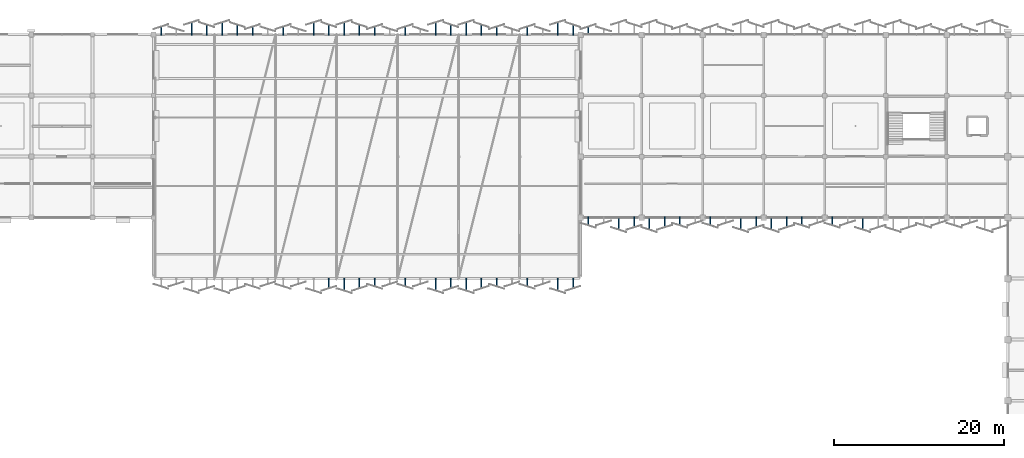
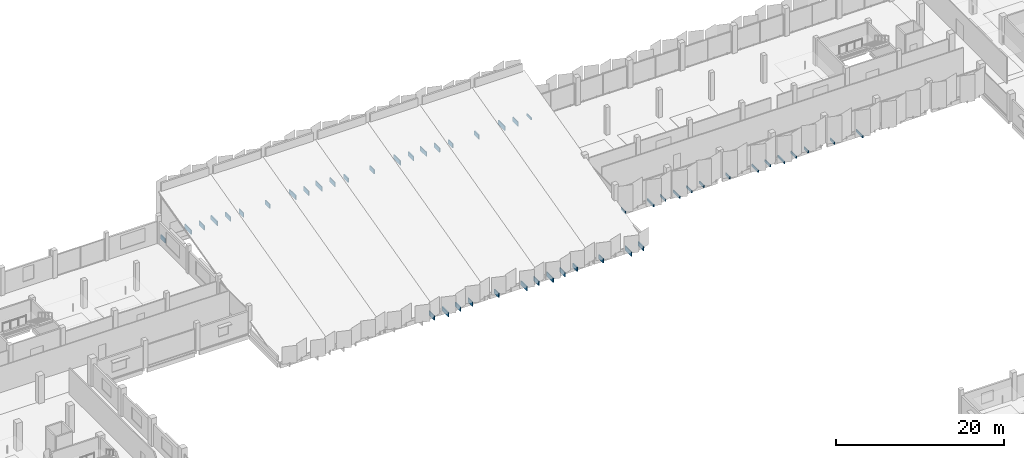
# One storey, part 96 of 108: 49 discrete accessories.
"""IFC4 building model written with IfcOpenShell, lengths in metres."""

from ifc_helpers import new_model, si_unit, direction, frame, origin, origin_2d, place, context, subcontext, project, spatial, rectangle, extrude, material, type_object, element, save


model = new_model("IFC4")

# Units and contexts
model_context = context("Model", 3, precision=1e-05, world=origin(), true_north=direction((0.0, 1.0)))
body_context = subcontext(model_context, "Body", "Model", "MODEL_VIEW")
ifc_project = project(units=[si_unit("LENGTHUNIT", "METRE"), si_unit("AREAUNIT", "SQUARE_METRE"), si_unit("VOLUMEUNIT", "CUBIC_METRE"), si_unit("PLANEANGLEUNIT", "RADIAN"), si_unit("MASSUNIT", "GRAM", prefix="KILO")], contexts=[model_context])

# Site, building, storey
site_placement = place(None, origin())
site = spatial("IfcSite", under=ifc_project, at=site_placement, CompositionType="ELEMENT")
building_placement = place(site_placement, origin())
building = spatial("IfcBuilding", under=site, at=building_placement, Name="Kangsadwip Square Police Headquarters", CompositionType="ELEMENT")
storey_placement = place(building_placement, frame((0.0, 0.0, 9.449951171875)))
storey = spatial("IfcBuildingStorey", under=building, at=storey_placement, Name="L02", CompositionType="ELEMENT", Elevation=9.449951171875)

# Discrete accessories
ifc_material = material(Name="Structural steel IS 2062 E350 (Grade 350, 350 MPa)", Category="steel")
discrete_accessory_type = type_object("IfcDiscreteAccessoryType", Name="VeilOutriggerBracket", PredefinedType="BRACKET", material=ifc_material)
discrete_accessory_1_placement = place(storey_placement, frame((44.10009765625, 115.642578125, -0.39990234375), z_axis=(0.0, 0.0, 1.0), x_axis=(1.0, 0.0, 0.0)))
element("IfcDiscreteAccessory", 1, at=discrete_accessory_1_placement, inside=storey, type_object=discrete_accessory_type, Name="Veil Outrigger Bracket VBK-L02-0029", PredefinedType="BRACKET", context=body_context, shape_type="SweptSolid", body=[
    extrude(rectangle(XDim=0.1201171875, YDim=1.04541015625, at=origin_2d()), origin(), (0.0, 0.0, 1.0), 0.6298828125),
])
discrete_accessory_2_placement = place(storey_placement, frame((47.699951171875, 115.897216796875, -0.39990234375), z_axis=(0.0, 0.0, 1.0), x_axis=(1.0, 0.0, 0.0)))
element("IfcDiscreteAccessory", 2, at=discrete_accessory_2_placement, inside=storey, type_object=discrete_accessory_type, Name="Veil Outrigger Bracket VBK-L02-0031", PredefinedType="BRACKET", context=body_context, shape_type="SweptSolid", body=[
    extrude(rectangle(XDim=0.1201171875, YDim=1.5546875, at=origin_2d()), origin(), (0.0, 0.0, 1.0), 0.6298828125),
])
discrete_accessory_3_placement = place(storey_placement, frame((49.5, 115.75732421875, -0.39990234375), z_axis=(0.0, 0.0, 1.0), x_axis=(1.0, 0.0, 0.0)))
element("IfcDiscreteAccessory", 3, at=discrete_accessory_3_placement, inside=storey, type_object=discrete_accessory_type, Name="Veil Outrigger Bracket VBK-L02-0032", PredefinedType="BRACKET", context=body_context, shape_type="SweptSolid", body=[
    extrude(rectangle(XDim=0.1201171875, YDim=1.274658203125, at=origin_2d()), origin(), (0.0, 0.0, 1.0), 0.6298828125),
])
discrete_accessory_4_placement = place(storey_placement, frame((51.300048828125, 115.897216796875, -0.39990234375), z_axis=(0.0, 0.0, 1.0), x_axis=(1.0, 0.0, 0.0)))
element("IfcDiscreteAccessory", 4, at=discrete_accessory_4_placement, inside=storey, type_object=discrete_accessory_type, Name="Veil Outrigger Bracket VBK-L02-0033", PredefinedType="BRACKET", context=body_context, shape_type="SweptSolid", body=[
    extrude(rectangle(XDim=0.1201171875, YDim=1.5546875, at=origin_2d()), origin(), (0.0, 0.0, 1.0), 0.6298828125),
])
discrete_accessory_5_placement = place(storey_placement, frame((53.10009765625, 115.75732421875, -0.39990234375), z_axis=(0.0, 0.0, 1.0), x_axis=(1.0, 0.0, 0.0)))
element("IfcDiscreteAccessory", 5, at=discrete_accessory_5_placement, inside=storey, type_object=discrete_accessory_type, Name="Veil Outrigger Bracket VBK-L02-0034", PredefinedType="BRACKET", context=body_context, shape_type="SweptSolid", body=[
    extrude(rectangle(XDim=0.1201171875, YDim=1.274658203125, at=origin_2d()), origin(), (0.0, 0.0, 1.0), 0.6298828125),
])
for number, where, z_axis, x_axis, name in (
    (6, (54.89990234375, 115.642578125, -0.39990234375), (0.0, 0.0, 1.0), (1.0, 0.0, 0.0), "Veil Outrigger Bracket VBK-L02-0035"),
    (7, (58.5, 115.642578125, -0.39990234375), (0.0, 0.0, 1.0), (1.0, 0.0, 0.0), "Veil Outrigger Bracket VBK-L02-0037"),
):
    element("IfcDiscreteAccessory", number, at=place(storey_placement, frame(where, z_axis=z_axis, x_axis=x_axis)), inside=storey, type_object=discrete_accessory_type, Name=name, PredefinedType="BRACKET", context=body_context, shape_type="SweptSolid", body=[
        extrude(rectangle(XDim=0.1201171875, YDim=1.04541015625, at=origin_2d()), origin(), (0.0, 0.0, 1.0), 0.6298828125),
    ])
discrete_accessory_6_placement = place(storey_placement, frame((62.10009765625, 115.897216796875, -0.39990234375), z_axis=(0.0, 0.0, 1.0), x_axis=(1.0, 0.0, 0.0)))
element("IfcDiscreteAccessory", 8, at=discrete_accessory_6_placement, inside=storey, type_object=discrete_accessory_type, Name="Veil Outrigger Bracket VBK-L02-0039", PredefinedType="BRACKET", context=body_context, shape_type="SweptSolid", body=[
    extrude(rectangle(XDim=0.1201171875, YDim=1.5546875, at=origin_2d()), origin(), (0.0, 0.0, 1.0), 0.6298828125),
])
discrete_accessory_7_placement = place(storey_placement, frame((63.89990234375, 115.75732421875, -0.39990234375), z_axis=(0.0, 0.0, 1.0), x_axis=(1.0, 0.0, 0.0)))
element("IfcDiscreteAccessory", 9, at=discrete_accessory_7_placement, inside=storey, type_object=discrete_accessory_type, Name="Veil Outrigger Bracket VBK-L02-0040", PredefinedType="BRACKET", context=body_context, shape_type="SweptSolid", body=[
    extrude(rectangle(XDim=0.1201171875, YDim=1.274658203125, at=origin_2d()), origin(), (0.0, 0.0, 1.0), 0.6298828125),
])
discrete_accessory_8_placement = place(storey_placement, frame((65.699951171875, 115.897216796875, -0.39990234375), z_axis=(0.0, 0.0, 1.0), x_axis=(1.0, 0.0, 0.0)))
element("IfcDiscreteAccessory", 10, at=discrete_accessory_8_placement, inside=storey, type_object=discrete_accessory_type, Name="Veil Outrigger Bracket VBK-L02-0041", PredefinedType="BRACKET", context=body_context, shape_type="SweptSolid", body=[
    extrude(rectangle(XDim=0.1201171875, YDim=1.5546875, at=origin_2d()), origin(), (0.0, 0.0, 1.0), 0.6298828125),
])
discrete_accessory_9_placement = place(storey_placement, frame((67.5, 115.75732421875, -0.39990234375), z_axis=(0.0, 0.0, 1.0), x_axis=(1.0, 0.0, 0.0)))
element("IfcDiscreteAccessory", 11, at=discrete_accessory_9_placement, inside=storey, type_object=discrete_accessory_type, Name="Veil Outrigger Bracket VBK-L02-0042", PredefinedType="BRACKET", context=body_context, shape_type="SweptSolid", body=[
    extrude(rectangle(XDim=0.1201171875, YDim=1.274658203125, at=origin_2d()), origin(), (0.0, 0.0, 1.0), 0.6298828125),
])
for number, where, z_axis, x_axis, name in (
    (12, (69.300048828125, 115.642578125, -0.39990234375), (0.0, 0.0, 1.0), (1.0, 0.0, 0.0), "Veil Outrigger Bracket VBK-L02-0043"),
    (13, (72.89990234375, 115.642578125, -0.39990234375), (0.0, 0.0, 1.0), (1.0, 0.0, 0.0), "Veil Outrigger Bracket VBK-L02-0045"),
):
    element("IfcDiscreteAccessory", number, at=place(storey_placement, frame(where, z_axis=z_axis, x_axis=x_axis)), inside=storey, type_object=discrete_accessory_type, Name=name, PredefinedType="BRACKET", context=body_context, shape_type="SweptSolid", body=[
        extrude(rectangle(XDim=0.1201171875, YDim=1.04541015625, at=origin_2d()), origin(), (0.0, 0.0, 1.0), 0.6298828125),
    ])
discrete_accessory_10_placement = place(storey_placement, frame((76.5, 115.897216796875, -0.39990234375), z_axis=(0.0, 0.0, 1.0), x_axis=(1.0, 0.0, 0.0)))
element("IfcDiscreteAccessory", 14, at=discrete_accessory_10_placement, inside=storey, type_object=discrete_accessory_type, Name="Veil Outrigger Bracket VBK-L02-0047", PredefinedType="BRACKET", context=body_context, shape_type="SweptSolid", body=[
    extrude(rectangle(XDim=0.1201171875, YDim=1.5546875, at=origin_2d()), origin(), (0.0, 0.0, 1.0), 0.6298828125),
])
discrete_accessory_11_placement = place(storey_placement, frame((78.300048828125, 115.75732421875, -0.39990234375), z_axis=(0.0, 0.0, 1.0), x_axis=(1.0, 0.0, 0.0)))
element("IfcDiscreteAccessory", 15, at=discrete_accessory_11_placement, inside=storey, type_object=discrete_accessory_type, Name="Veil Outrigger Bracket VBK-L02-0048", PredefinedType="BRACKET", context=body_context, shape_type="SweptSolid", body=[
    extrude(rectangle(XDim=0.1201171875, YDim=1.274658203125, at=origin_2d()), origin(), (0.0, 0.0, 1.0), 0.6298828125),
])
discrete_accessory_12_placement = place(storey_placement, frame((80.10009765625, 115.897216796875, -0.39990234375), z_axis=(0.0, 0.0, 1.0), x_axis=(1.0, 0.0, 0.0)))
element("IfcDiscreteAccessory", 16, at=discrete_accessory_12_placement, inside=storey, type_object=discrete_accessory_type, Name="Veil Outrigger Bracket VBK-L02-0049", PredefinedType="BRACKET", context=body_context, shape_type="SweptSolid", body=[
    extrude(rectangle(XDim=0.1201171875, YDim=1.5546875, at=origin_2d()), origin(), (0.0, 0.0, 1.0), 0.6298828125),
])
discrete_accessory_13_placement = place(storey_placement, frame((81.89990234375, 115.75732421875, -0.39990234375), z_axis=(0.0, 0.0, 1.0), x_axis=(1.0, 0.0, 0.0)))
element("IfcDiscreteAccessory", 17, at=discrete_accessory_13_placement, inside=storey, type_object=discrete_accessory_type, Name="Veil Outrigger Bracket VBK-L02-0050", PredefinedType="BRACKET", context=body_context, shape_type="SweptSolid", body=[
    extrude(rectangle(XDim=0.1201171875, YDim=1.274658203125, at=origin_2d()), origin(), (0.0, 0.0, 1.0), 0.6298828125),
])
for number, where, z_axis, x_axis, name in (
    (18, (83.699951171875, 115.642578125, -0.39990234375), (0.0, 0.0, 1.0), (1.0, 0.0, 0.0), "Veil Outrigger Bracket VBK-L02-0051"),
    (19, (87.300048828125, 115.642578125, -0.39990234375), (0.0, 0.0, 1.0), (1.0, 0.0, 0.0), "Veil Outrigger Bracket VBK-L02-0053"),
):
    element("IfcDiscreteAccessory", number, at=place(storey_placement, frame(where, z_axis=z_axis, x_axis=x_axis)), inside=storey, type_object=discrete_accessory_type, Name=name, PredefinedType="BRACKET", context=body_context, shape_type="SweptSolid", body=[
        extrude(rectangle(XDim=0.1201171875, YDim=1.04541015625, at=origin_2d()), origin(), (0.0, 0.0, 1.0), 0.6298828125),
    ])
discrete_accessory_14_placement = place(storey_placement, frame((90.89990234375, 115.897216796875, -0.39990234375), z_axis=(0.0, 0.0, 1.0), x_axis=(1.0, 0.0, 0.0)))
element("IfcDiscreteAccessory", 20, at=discrete_accessory_14_placement, inside=storey, type_object=discrete_accessory_type, Name="Veil Outrigger Bracket VBK-L02-0055", PredefinedType="BRACKET", context=body_context, shape_type="SweptSolid", body=[
    extrude(rectangle(XDim=0.1201171875, YDim=1.5546875, at=origin_2d()), origin(), (0.0, 0.0, 1.0), 0.6298828125),
])
discrete_accessory_15_placement = place(storey_placement, frame((92.699951171875, 115.75732421875, -0.39990234375), z_axis=(0.0, 0.0, 1.0), x_axis=(1.0, 0.0, 0.0)))
element("IfcDiscreteAccessory", 21, at=discrete_accessory_15_placement, inside=storey, type_object=discrete_accessory_type, Name="Veil Outrigger Bracket VBK-L02-0056", PredefinedType="BRACKET", context=body_context, shape_type="SweptSolid", body=[
    extrude(rectangle(XDim=0.1201171875, YDim=1.274658203125, at=origin_2d()), origin(), (0.0, 0.0, 1.0), 0.6298828125),
])
discrete_accessory_16_placement = place(storey_placement, frame((94.5, 115.642578125, -0.10986328125), z_axis=(0.0, 0.0, 1.0), x_axis=(1.0, 0.0, 0.0)))
element("IfcDiscreteAccessory", 22, at=discrete_accessory_16_placement, inside=storey, type_object=discrete_accessory_type, Name="Veil Outrigger Bracket VBK-L02-0085", PredefinedType="BRACKET", context=body_context, shape_type="SweptSolid", body=[
    extrude(rectangle(XDim=0.1201171875, YDim=1.04541015625, at=origin_2d()), origin(), (0.0, 0.0, 1.0), 0.340087890625),
])
discrete_accessory_17_placement = place(storey_placement, frame((63.89990234375, 85.8427734375, -0.39990234375), z_axis=(0.0, 0.0, 1.0), x_axis=(1.0, 0.0, 0.0)))
element("IfcDiscreteAccessory", 23, at=discrete_accessory_17_placement, inside=storey, type_object=discrete_accessory_type, Name="Veil Outrigger Bracket VBK-L02-0236", PredefinedType="BRACKET", context=body_context, shape_type="SweptSolid", body=[
    extrude(rectangle(XDim=0.1201171875, YDim=1.274658203125, at=origin_2d()), origin(), (0.0, 0.0, 1.0), 0.6298828125),
])
discrete_accessory_18_placement = place(storey_placement, frame((65.699951171875, 85.70263671875, -0.39990234375), z_axis=(0.0, 0.0, 1.0), x_axis=(1.0, 0.0, 0.0)))
element("IfcDiscreteAccessory", 24, at=discrete_accessory_18_placement, inside=storey, type_object=discrete_accessory_type, Name="Veil Outrigger Bracket VBK-L02-0237", PredefinedType="BRACKET", context=body_context, shape_type="SweptSolid", body=[
    extrude(rectangle(XDim=0.1201171875, YDim=1.5546875, at=origin_2d()), origin(), (0.0, 0.0, 1.0), 0.6298828125),
])
discrete_accessory_19_placement = place(storey_placement, frame((67.5, 85.8427734375, -0.39990234375), z_axis=(0.0, 0.0, 1.0), x_axis=(1.0, 0.0, 0.0)))
element("IfcDiscreteAccessory", 25, at=discrete_accessory_19_placement, inside=storey, type_object=discrete_accessory_type, Name="Veil Outrigger Bracket VBK-L02-0238", PredefinedType="BRACKET", context=body_context, shape_type="SweptSolid", body=[
    extrude(rectangle(XDim=0.1201171875, YDim=1.274658203125, at=origin_2d()), origin(), (0.0, 0.0, 1.0), 0.6298828125),
])
for number, where, z_axis, x_axis, name in (
    (26, (69.300048828125, 85.957275390625, -0.39990234375), (0.0, 0.0, 1.0), (1.0, 0.0, 0.0), "Veil Outrigger Bracket VBK-L02-0239"),
    (27, (72.89990234375, 85.957275390625, -0.39990234375), (0.0, 0.0, 1.0), (1.0, 0.0, 0.0), "Veil Outrigger Bracket VBK-L02-0241"),
):
    element("IfcDiscreteAccessory", number, at=place(storey_placement, frame(where, z_axis=z_axis, x_axis=x_axis)), inside=storey, type_object=discrete_accessory_type, Name=name, PredefinedType="BRACKET", context=body_context, shape_type="SweptSolid", body=[
        extrude(rectangle(XDim=0.1201171875, YDim=1.04541015625, at=origin_2d()), origin(), (0.0, 0.0, 1.0), 0.6298828125),
    ])
discrete_accessory_20_placement = place(storey_placement, frame((76.5, 85.70263671875, -0.39990234375), z_axis=(0.0, 0.0, 1.0), x_axis=(1.0, 0.0, 0.0)))
element("IfcDiscreteAccessory", 28, at=discrete_accessory_20_placement, inside=storey, type_object=discrete_accessory_type, Name="Veil Outrigger Bracket VBK-L02-0243", PredefinedType="BRACKET", context=body_context, shape_type="SweptSolid", body=[
    extrude(rectangle(XDim=0.1201171875, YDim=1.5546875, at=origin_2d()), origin(), (0.0, 0.0, 1.0), 0.6298828125),
])
discrete_accessory_21_placement = place(storey_placement, frame((78.300048828125, 85.8427734375, -0.39990234375), z_axis=(0.0, 0.0, 1.0), x_axis=(1.0, 0.0, 0.0)))
element("IfcDiscreteAccessory", 29, at=discrete_accessory_21_placement, inside=storey, type_object=discrete_accessory_type, Name="Veil Outrigger Bracket VBK-L02-0244", PredefinedType="BRACKET", context=body_context, shape_type="SweptSolid", body=[
    extrude(rectangle(XDim=0.1201171875, YDim=1.274658203125, at=origin_2d()), origin(), (0.0, 0.0, 1.0), 0.6298828125),
])
discrete_accessory_22_placement = place(storey_placement, frame((80.10009765625, 85.70263671875, -0.39990234375), z_axis=(0.0, 0.0, 1.0), x_axis=(1.0, 0.0, 0.0)))
element("IfcDiscreteAccessory", 30, at=discrete_accessory_22_placement, inside=storey, type_object=discrete_accessory_type, Name="Veil Outrigger Bracket VBK-L02-0245", PredefinedType="BRACKET", context=body_context, shape_type="SweptSolid", body=[
    extrude(rectangle(XDim=0.1201171875, YDim=1.5546875, at=origin_2d()), origin(), (0.0, 0.0, 1.0), 0.6298828125),
])
discrete_accessory_23_placement = place(storey_placement, frame((81.89990234375, 85.8427734375, -0.39990234375), z_axis=(0.0, 0.0, 1.0), x_axis=(1.0, 0.0, 0.0)))
element("IfcDiscreteAccessory", 31, at=discrete_accessory_23_placement, inside=storey, type_object=discrete_accessory_type, Name="Veil Outrigger Bracket VBK-L02-0246", PredefinedType="BRACKET", context=body_context, shape_type="SweptSolid", body=[
    extrude(rectangle(XDim=0.1201171875, YDim=1.274658203125, at=origin_2d()), origin(), (0.0, 0.0, 1.0), 0.6298828125),
])
for number, where, z_axis, x_axis, name in (
    (32, (83.699951171875, 85.957275390625, -0.39990234375), (0.0, 0.0, 1.0), (1.0, 0.0, 0.0), "Veil Outrigger Bracket VBK-L02-0247"),
    (33, (87.300048828125, 85.957275390625, -0.39990234375), (0.0, 0.0, 1.0), (1.0, 0.0, 0.0), "Veil Outrigger Bracket VBK-L02-0249"),
):
    element("IfcDiscreteAccessory", number, at=place(storey_placement, frame(where, z_axis=z_axis, x_axis=x_axis)), inside=storey, type_object=discrete_accessory_type, Name=name, PredefinedType="BRACKET", context=body_context, shape_type="SweptSolid", body=[
        extrude(rectangle(XDim=0.1201171875, YDim=1.04541015625, at=origin_2d()), origin(), (0.0, 0.0, 1.0), 0.6298828125),
    ])
discrete_accessory_24_placement = place(storey_placement, frame((90.89990234375, 85.70263671875, -0.39990234375), z_axis=(0.0, 0.0, 1.0), x_axis=(1.0, 0.0, 0.0)))
element("IfcDiscreteAccessory", 34, at=discrete_accessory_24_placement, inside=storey, type_object=discrete_accessory_type, Name="Veil Outrigger Bracket VBK-L02-0251", PredefinedType="BRACKET", context=body_context, shape_type="SweptSolid", body=[
    extrude(rectangle(XDim=0.1201171875, YDim=1.5546875, at=origin_2d()), origin(), (0.0, 0.0, 1.0), 0.6298828125),
])
discrete_accessory_25_placement = place(storey_placement, frame((92.699951171875, 85.8427734375, -0.39990234375), z_axis=(0.0, 0.0, 1.0), x_axis=(1.0, 0.0, 0.0)))
element("IfcDiscreteAccessory", 35, at=discrete_accessory_25_placement, inside=storey, type_object=discrete_accessory_type, Name="Veil Outrigger Bracket VBK-L02-0252", PredefinedType="BRACKET", context=body_context, shape_type="SweptSolid", body=[
    extrude(rectangle(XDim=0.1201171875, YDim=1.274658203125, at=origin_2d()), origin(), (0.0, 0.0, 1.0), 0.6298828125),
])
discrete_accessory_26_placement = place(storey_placement, frame((94.5, 93.1572265625, -0.10986328125), z_axis=(0.0, 0.0, 1.0), x_axis=(1.0, 0.0, 0.0)))
element("IfcDiscreteAccessory", 36, at=discrete_accessory_26_placement, inside=storey, type_object=discrete_accessory_type, Name="Veil Outrigger Bracket VBK-L02-0281", PredefinedType="BRACKET", context=body_context, shape_type="SweptSolid", body=[
    extrude(rectangle(XDim=0.1201171875, YDim=1.04541015625, at=origin_2d()), origin(), (0.0, 0.0, 1.0), 0.340087890625),
])
discrete_accessory_27_placement = place(storey_placement, frame((98.10009765625, 92.902587890625, -0.10986328125), z_axis=(0.0, 0.0, 1.0), x_axis=(1.0, 0.0, 0.0)))
element("IfcDiscreteAccessory", 37, at=discrete_accessory_27_placement, inside=storey, type_object=discrete_accessory_type, Name="Veil Outrigger Bracket VBK-L02-0283", PredefinedType="BRACKET", context=body_context, shape_type="SweptSolid", body=[
    extrude(rectangle(XDim=0.1201171875, YDim=1.5546875, at=origin_2d()), origin(), (0.0, 0.0, 1.0), 0.340087890625),
])
discrete_accessory_28_placement = place(storey_placement, frame((99.89990234375, 93.042724609375, -0.10986328125), z_axis=(0.0, 0.0, 1.0), x_axis=(1.0, 0.0, 0.0)))
element("IfcDiscreteAccessory", 38, at=discrete_accessory_28_placement, inside=storey, type_object=discrete_accessory_type, Name="Veil Outrigger Bracket VBK-L02-0284", PredefinedType="BRACKET", context=body_context, shape_type="SweptSolid", body=[
    extrude(rectangle(XDim=0.1201171875, YDim=1.274658203125, at=origin_2d()), origin(), (0.0, 0.0, 1.0), 0.340087890625),
])
discrete_accessory_29_placement = place(storey_placement, frame((101.699951171875, 92.902587890625, -0.10986328125), z_axis=(0.0, 0.0, 1.0), x_axis=(1.0, 0.0, 0.0)))
element("IfcDiscreteAccessory", 39, at=discrete_accessory_29_placement, inside=storey, type_object=discrete_accessory_type, Name="Veil Outrigger Bracket VBK-L02-0285", PredefinedType="BRACKET", context=body_context, shape_type="SweptSolid", body=[
    extrude(rectangle(XDim=0.1201171875, YDim=1.5546875, at=origin_2d()), origin(), (0.0, 0.0, 1.0), 0.340087890625),
])
discrete_accessory_30_placement = place(storey_placement, frame((103.5, 93.042724609375, -0.10986328125), z_axis=(0.0, 0.0, 1.0), x_axis=(1.0, 0.0, 0.0)))
element("IfcDiscreteAccessory", 40, at=discrete_accessory_30_placement, inside=storey, type_object=discrete_accessory_type, Name="Veil Outrigger Bracket VBK-L02-0286", PredefinedType="BRACKET", context=body_context, shape_type="SweptSolid", body=[
    extrude(rectangle(XDim=0.1201171875, YDim=1.274658203125, at=origin_2d()), origin(), (0.0, 0.0, 1.0), 0.340087890625),
])
for number, where, z_axis, x_axis, name in (
    (41, (105.300048828125, 93.1572265625, -0.10986328125), (0.0, 0.0, 1.0), (1.0, 0.0, 0.0), "Veil Outrigger Bracket VBK-L02-0287"),
    (42, (108.89990234375, 93.1572265625, -0.10986328125), (0.0, 0.0, 1.0), (1.0, 0.0, 0.0), "Veil Outrigger Bracket VBK-L02-0289"),
):
    element("IfcDiscreteAccessory", number, at=place(storey_placement, frame(where, z_axis=z_axis, x_axis=x_axis)), inside=storey, type_object=discrete_accessory_type, Name=name, PredefinedType="BRACKET", context=body_context, shape_type="SweptSolid", body=[
        extrude(rectangle(XDim=0.1201171875, YDim=1.04541015625, at=origin_2d()), origin(), (0.0, 0.0, 1.0), 0.340087890625),
    ])
discrete_accessory_31_placement = place(storey_placement, frame((112.5, 92.902587890625, -0.10986328125), z_axis=(0.0, 0.0, 1.0), x_axis=(1.0, 0.0, 0.0)))
element("IfcDiscreteAccessory", 43, at=discrete_accessory_31_placement, inside=storey, type_object=discrete_accessory_type, Name="Veil Outrigger Bracket VBK-L02-0291", PredefinedType="BRACKET", context=body_context, shape_type="SweptSolid", body=[
    extrude(rectangle(XDim=0.1201171875, YDim=1.5546875, at=origin_2d()), origin(), (0.0, 0.0, 1.0), 0.340087890625),
])
discrete_accessory_32_placement = place(storey_placement, frame((114.300048828125, 93.042724609375, -0.10986328125), z_axis=(0.0, 0.0, 1.0), x_axis=(1.0, 0.0, 0.0)))
element("IfcDiscreteAccessory", 44, at=discrete_accessory_32_placement, inside=storey, type_object=discrete_accessory_type, Name="Veil Outrigger Bracket VBK-L02-0292", PredefinedType="BRACKET", context=body_context, shape_type="SweptSolid", body=[
    extrude(rectangle(XDim=0.1201171875, YDim=1.274658203125, at=origin_2d()), origin(), (0.0, 0.0, 1.0), 0.340087890625),
])
discrete_accessory_33_placement = place(storey_placement, frame((116.10009765625, 92.902587890625, -0.10986328125), z_axis=(0.0, 0.0, 1.0), x_axis=(1.0, 0.0, 0.0)))
element("IfcDiscreteAccessory", 45, at=discrete_accessory_33_placement, inside=storey, type_object=discrete_accessory_type, Name="Veil Outrigger Bracket VBK-L02-0293", PredefinedType="BRACKET", context=body_context, shape_type="SweptSolid", body=[
    extrude(rectangle(XDim=0.1201171875, YDim=1.5546875, at=origin_2d()), origin(), (0.0, 0.0, 1.0), 0.340087890625),
])
discrete_accessory_34_placement = place(storey_placement, frame((117.89990234375, 93.042724609375, -0.10986328125), z_axis=(0.0, 0.0, 1.0), x_axis=(1.0, 0.0, 0.0)))
element("IfcDiscreteAccessory", 46, at=discrete_accessory_34_placement, inside=storey, type_object=discrete_accessory_type, Name="Veil Outrigger Bracket VBK-L02-0294", PredefinedType="BRACKET", context=body_context, shape_type="SweptSolid", body=[
    extrude(rectangle(XDim=0.1201171875, YDim=1.274658203125, at=origin_2d()), origin(), (0.0, 0.0, 1.0), 0.340087890625),
])
for number, where, z_axis, x_axis, name in (
    (47, (119.699951171875, 93.1572265625, -0.10986328125), (0.0, 0.0, 1.0), (1.0, 0.0, 0.0), "Veil Outrigger Bracket VBK-L02-0295"),
    (48, (123.300048828125, 93.1572265625, -0.10986328125), (0.0, 0.0, 1.0), (1.0, 0.0, 0.0), "Veil Outrigger Bracket VBK-L02-0297"),
):
    element("IfcDiscreteAccessory", number, at=place(storey_placement, frame(where, z_axis=z_axis, x_axis=x_axis)), inside=storey, type_object=discrete_accessory_type, Name=name, PredefinedType="BRACKET", context=body_context, shape_type="SweptSolid", body=[
        extrude(rectangle(XDim=0.1201171875, YDim=1.04541015625, at=origin_2d()), origin(), (0.0, 0.0, 1.0), 0.340087890625),
    ])
discrete_accessory_35_placement = place(storey_placement, frame((126.89990234375, 92.902587890625, -0.10986328125), z_axis=(0.0, 0.0, 1.0), x_axis=(1.0, 0.0, 0.0)))
element("IfcDiscreteAccessory", 49, at=discrete_accessory_35_placement, inside=storey, type_object=discrete_accessory_type, Name="Veil Outrigger Bracket VBK-L02-0299", PredefinedType="BRACKET", context=body_context, shape_type="SweptSolid", body=[
    extrude(rectangle(XDim=0.1201171875, YDim=1.5546875, at=origin_2d()), origin(), (0.0, 0.0, 1.0), 0.340087890625),
])

save(model, "model.ifc")
